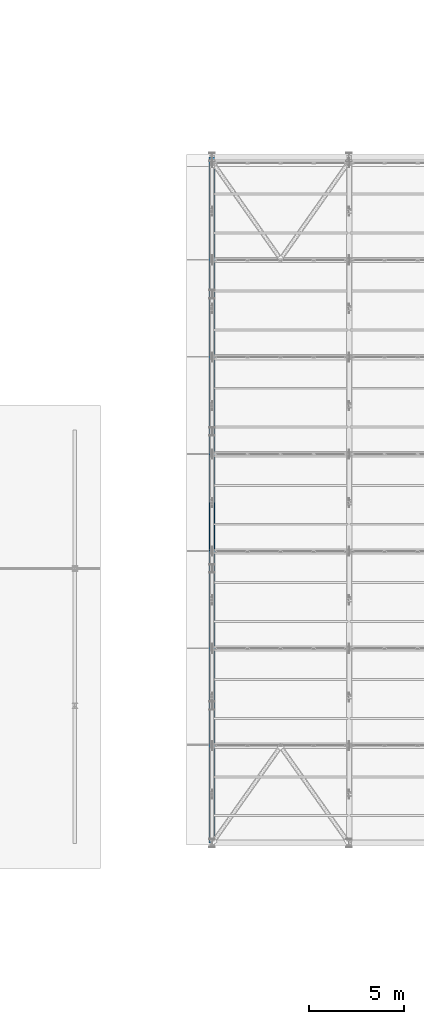
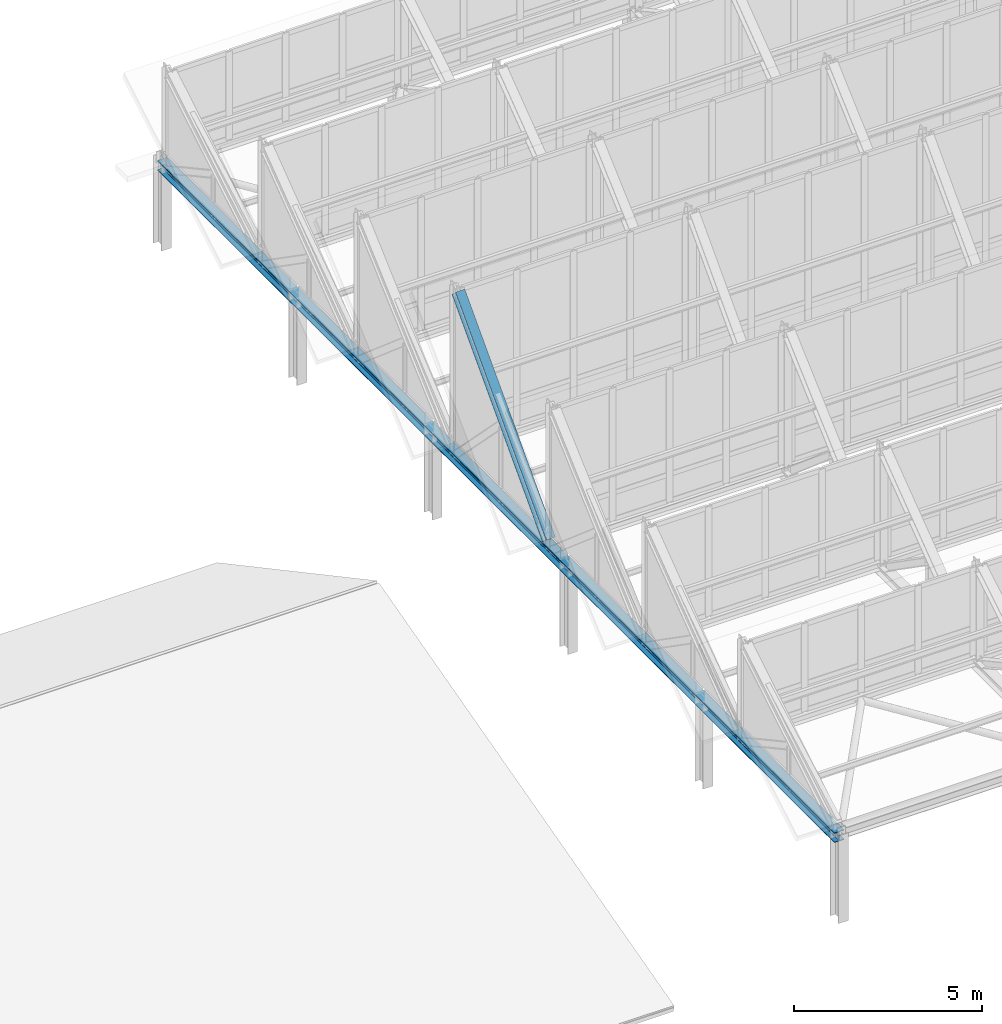
# One storey, part 41 of 157: 2 members.
"""IFC4 building model written with IfcOpenShell, lengths in metres."""

from ifc_helpers import new_model, si_unit, direction, frame, origin, origin_2d, place, context, subcontext, project, spatial, i_section, extrude, material, material_profile, profile_set, type_object, element, save


model = new_model("IFC4")

# Units and contexts
model_context = context("Model", 3, precision=1e-05, world=origin(), true_north=direction((0.0, 1.0)))
body_context = subcontext(model_context, "Body", "Model", "MODEL_VIEW")
ifc_project = project(units=[si_unit("LENGTHUNIT", "METRE"), si_unit("AREAUNIT", "SQUARE_METRE"), si_unit("VOLUMEUNIT", "CUBIC_METRE"), si_unit("PLANEANGLEUNIT", "RADIAN"), si_unit("MASSUNIT", "GRAM", prefix="KILO")], contexts=[model_context])

# Site, building, storey
site_placement = place(None, origin())
site = spatial("IfcSite", under=ifc_project, at=site_placement, CompositionType="ELEMENT")
building_placement = place(site_placement, origin())
building = spatial("IfcBuilding", under=site, at=building_placement, Name="Suanplinth Sawtooth Commons", CompositionType="ELEMENT")
storey_placement = place(building_placement, frame((0.0, 0.0, 9.0)))
storey = spatial("IfcBuildingStorey", under=building, at=storey_placement, Name="L02", CompositionType="ELEMENT", Elevation=9.0)

# Members
ifc_material = material(Name="Steel S355JR", Category="steel")
ifc_material_profile_1 = material_profile(ifc_material, i_section(OverallWidth=0.300048828125, OverallDepth=0.320068359375, WebThickness=0.011474609375, FlangeThickness=0.0205078125, at=origin_2d()), Name="HEB 320")
ifc_profile_set_1 = profile_set([ifc_material_profile_1], Name="Steel S355JR")
member_type_1 = type_object("IfcMemberType", Name="M-01", PredefinedType="CHORD", material=ifc_profile_set_1)
member_1_placement = place(storey_placement, frame((64.800048828125, 50.39990234375, 2.64990234375), z_axis=(0.0, 1.0, 0.0), x_axis=(-1.0, 0.0, 0.0)))
element("IfcMember", 1, at=member_1_placement, inside=storey, type_object=member_type_1, Name="Sawtooth Truss T1 Bottom Chord", PredefinedType="CHORD", context=body_context, shape_type="SweptSolid", body=[
    extrude(i_section(OverallWidth=0.300048828125, OverallDepth=0.320068359375, WebThickness=0.011474609375, FlangeThickness=0.0205078125, at=origin_2d()), origin(), (0.0, 0.0, 1.0), 36.0),
])
ifc_material_profile_2 = material_profile(ifc_material, i_section(OverallWidth=0.280029296875, OverallDepth=0.280029296875, WebThickness=0.010498046875, FlangeThickness=0.01806640625, at=origin_2d()), Name="HEB 280")
ifc_profile_set_2 = profile_set([ifc_material_profile_2], Name="Steel S355JR")
member_type_2 = type_object("IfcMemberType", Name="M-02", PredefinedType="CHORD", material=ifc_profile_set_2)
member_2_placement = place(storey_placement, frame((64.800048828125, 65.840087890625, 2.919921875), z_axis=(0.0, 0.685431841642, 0.728136793785), x_axis=(-1.0, 0.0, 0.0)))
element("IfcMember", 2, at=member_2_placement, inside=storey, type_object=member_type_2, Name="Sawtooth Truss T1 Top Chord 4", PredefinedType="CHORD", context=body_context, shape_type="SweptSolid", body=[
    extrude(i_section(OverallWidth=0.280029296875, OverallDepth=0.280029296875, WebThickness=0.010498046875, FlangeThickness=0.01806640625, at=origin_2d()), origin(), (0.0, 0.0, 1.0), 7.03173828125),
])

save(model, "model.ifc")
